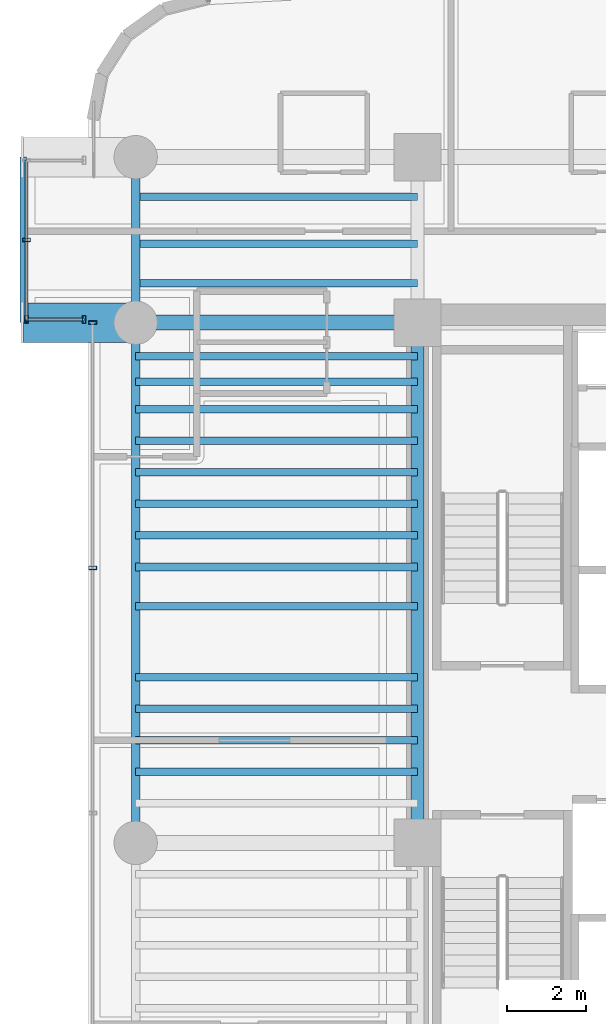
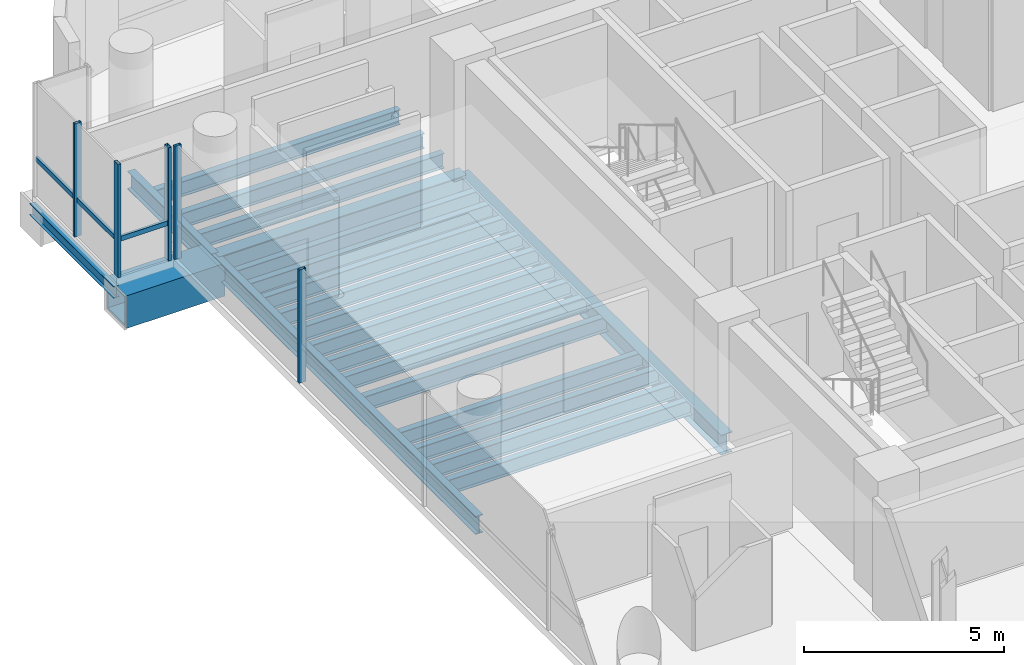
# One storey, part 9 of 33: 22 beams, 7 members, 3 elements without a shape of their own.
"""IFC4 building model written with IfcOpenShell, lengths in metres."""

from ifc_helpers import new_model, si_unit, direction, frame, origin, origin_2d, place, context, subcontext, project, spatial, hollow_rectangle, i_section, extrude, source, transform, mapped, material, material_profile, profile_set, type_object, element, aggregate, save


model = new_model("IFC4")

# Units and contexts
model_context = context("Model", 3, precision=1e-05, world=origin(), true_north=direction((0.0, 1.0)))
body_context = subcontext(model_context, "Body", "Model", "MODEL_VIEW")
ifc_project = project(units=[si_unit("LENGTHUNIT", "METRE"), si_unit("AREAUNIT", "SQUARE_METRE"), si_unit("VOLUMEUNIT", "CUBIC_METRE"), si_unit("PLANEANGLEUNIT", "RADIAN"), si_unit("MASSUNIT", "GRAM", prefix="KILO")], contexts=[model_context])

# Site, building, storey
site_placement = place(None, origin())
site = spatial("IfcSite", under=ifc_project, at=site_placement, CompositionType="ELEMENT")
building_placement = place(site_placement, origin())
building = spatial("IfcBuilding", under=site, at=building_placement, Name="Valdorenza Pilgrim Sanctuary Tower", CompositionType="ELEMENT")
storey_placement = place(building_placement, frame((0.0, 0.0, 157.5)))
storey = spatial("IfcBuildingStorey", under=building, at=storey_placement, Name="L40", CompositionType="ELEMENT", Elevation=157.5)

# Beams
ifc_material_1 = material(Name="Steel ASTM A992 Grade 50", Category="steel")
ifc_material_profile_1 = material_profile(ifc_material_1, i_section(OverallWidth=0.214111328125, OverallDepth=0.549072265625, WebThickness=0.0146484375, FlangeThickness=0.023681640625, at=origin_2d()), Name="W21X93")
ifc_profile_set_1 = profile_set([ifc_material_profile_1], Name="Steel ASTM A992 Grade 50")
beam_type_1 = type_object("IfcBeamType", Name="STR-BM-SPN-W21A", PredefinedType="SPANDREL", material=ifc_profile_set_1)
shared_shape_1 = source(origin(), body_context, "Body", "SweptSolid", [
    extrude(i_section(OverallWidth=0.214111328125, OverallDepth=0.549072265625, WebThickness=0.0146484375, FlangeThickness=0.023681640625, at=origin_2d()), origin(), (0.0, 0.0, 1.0), 13.2001953125),
])
beam_1_placement = place(storey_placement, frame((-29.800048828125, -2.60009765625, -0.514404296875), z_axis=(0.0, 1.0, 0.0), x_axis=(-1.0, 0.0, 0.0)))
element("IfcBeam", 1, at=beam_1_placement, inside=storey, type_object=beam_type_1, Name="L40 Spandrel Beam WA-W-M0N1", PredefinedType="SPANDREL", context=body_context, shape_type="MappedRepresentation", body=[
    mapped(shared_shape_1, transform((0.0, 0.0, 0.0), x_axis=(1.0, 0.0, 0.0), y_axis=(0.0, 1.0, 0.0), z_axis=(0.0, 0.0, 1.0), scale=1.0)),
])
ifc_material_profile_2 = material_profile(ifc_material_1, i_section(OverallWidth=0.323974609375, OverallDepth=0.611083984375, WebThickness=0.0126953125, FlangeThickness=0.01904296875, at=origin_2d()), Name="W24X104")
ifc_profile_set_2 = profile_set([ifc_material_profile_2], Name="Steel ASTM A992 Grade 50")
beam_type_2 = type_object("IfcBeamType", Name="STR-BM-GRD-W24B", PredefinedType="BEAM", material=ifc_profile_set_2)
shared_shape_2 = source(origin(), body_context, "Body", "SweptSolid", [
    extrude(i_section(OverallWidth=0.323974609375, OverallDepth=0.611083984375, WebThickness=0.0126953125, FlangeThickness=0.01904296875, at=origin_2d()), origin(), (0.0, 0.0, 1.0), 13.2001953125),
])
beam_2_placement = place(storey_placement, frame((-22.64990234375, -2.60009765625, -0.54541015625), z_axis=(0.0, 1.0, 0.0), x_axis=(-1.0, 0.0, 0.0)))
element("IfcBeam", 2, at=beam_2_placement, inside=storey, type_object=beam_type_2, Name="L40 Core Tie Girder CA-W-M0N1", PredefinedType="BEAM", context=body_context, shape_type="MappedRepresentation", body=[
    mapped(shared_shape_2, transform((0.0, 0.0, 0.0), x_axis=(1.0, 0.0, 0.0), y_axis=(0.0, 1.0, 0.0), z_axis=(0.0, 0.0, 1.0), scale=1.0)),
])
shared_shape_3 = source(origin(), body_context, "Body", "SweptSolid", [
    extrude(i_section(OverallWidth=0.214111328125, OverallDepth=0.549072265625, WebThickness=0.0146484375, FlangeThickness=0.023681640625, at=origin_2d()), origin(), (0.0, 0.0, 1.0), 4.199951171875),
])
beam_3_placement = place(storey_placement, frame((-29.800048828125, 10.60009765625, -0.514404296875), z_axis=(0.0, 1.0, 0.0), x_axis=(-1.0, 0.0, 0.0)))
element("IfcBeam", 3, at=beam_3_placement, inside=storey, type_object=beam_type_1, Name="L40 Spandrel Beam WA-W-N1N2", PredefinedType="SPANDREL", context=body_context, shape_type="MappedRepresentation", body=[
    mapped(shared_shape_3, transform((0.0, 0.0, 0.0), x_axis=(1.0, 0.0, 0.0), y_axis=(0.0, 1.0, 0.0), z_axis=(0.0, 0.0, 1.0), scale=1.0)),
])
ifc_material_profile_3 = material_profile(ifc_material_1, i_section(OverallWidth=0.1708984375, OverallDepth=0.35107421875, WebThickness=0.0068359375, FlangeThickness=0.009765625, at=origin_2d()), Name="W14X30")
ifc_profile_set_3 = profile_set([ifc_material_profile_3], Name="Steel ASTM A992 Grade 50")
beam_type_3 = type_object("IfcBeamType", Name="STR-BM-BOX-W14", PredefinedType="BEAM", material=ifc_profile_set_3)
shared_shape_4 = source(origin(), body_context, "Body", "SweptSolid", [
    extrude(i_section(OverallWidth=0.1708984375, OverallDepth=0.35107421875, WebThickness=0.0068359375, FlangeThickness=0.009765625, at=origin_2d()), origin(), (0.0, 0.0, 1.0), 4.199951171875),
])
beam_4_placement = place(storey_placement, frame((-32.64990234375, 10.60009765625, -0.41552734375), z_axis=(0.0, 1.0, 0.0), x_axis=(-1.0, 0.0, 0.0)))
element("IfcBeam", 4, at=beam_4_placement, inside=storey, type_object=beam_type_3, Name="L40 Glass Box Edge Beam BOX-WA-L40-F", PredefinedType="BEAM", context=body_context, shape_type="MappedRepresentation", body=[
    mapped(shared_shape_4, transform((0.0, 0.0, 0.0), x_axis=(1.0, 0.0, 0.0), y_axis=(0.0, 1.0, 0.0), z_axis=(0.0, 0.0, 1.0), scale=1.0)),
])
ifc_material_profile_4 = material_profile(ifc_material_1, i_section(OverallWidth=0.382080078125, OverallDepth=0.779052734375, WebThickness=0.01806640625, FlangeThickness=0.030029296875, at=origin_2d()), Name="W30X191")
ifc_profile_set_4 = profile_set([ifc_material_profile_4], Name="Steel ASTM A992 Grade 50")
beam_type_4 = type_object("IfcBeamType", Name="STR-BM-GRD-W30", PredefinedType="BEAM", material=ifc_profile_set_4)
shared_shape_5 = source(origin(), body_context, "Body", "SweptSolid", [
    extrude(i_section(OverallWidth=0.382080078125, OverallDepth=0.779052734375, WebThickness=0.01806640625, FlangeThickness=0.030029296875, at=origin_2d()), origin(), (0.0, 0.0, 1.0), 7.150146484375),
])
beam_5_placement = place(storey_placement, frame((-29.800048828125, 10.60009765625, -0.62939453125), z_axis=(1.0, 0.0, 0.0), x_axis=(0.0, 1.0, 0.0)))
element("IfcBeam", 5, at=beam_5_placement, inside=storey, type_object=beam_type_4, Name="L40 Floor Girder WA-XW-N1", PredefinedType="BEAM", context=body_context, shape_type="MappedRepresentation", body=[
    mapped(shared_shape_5, transform((0.0, 0.0, 0.0), x_axis=(1.0, 0.0, 0.0), y_axis=(0.0, 1.0, 0.0), z_axis=(0.0, 0.0, 1.0), scale=1.0)),
])
ifc_material_profile_5 = material_profile(ifc_material_1, i_section(OverallWidth=0.19091796875, OverallDepth=0.45703125, WebThickness=0.009033203125, FlangeThickness=0.014404296875, at=origin_2d()), Name="W18X50")
ifc_profile_set_5 = profile_set([ifc_material_profile_5], Name="Steel ASTM A992 Grade 50")
beam_type_5 = type_object("IfcBeamType", Name="STR-BM-JST-W18B", PredefinedType="JOIST", material=ifc_profile_set_5)
shared_shape_6 = source(origin(), body_context, "Body", "SweptSolid", [
    extrude(i_section(OverallWidth=0.19091796875, OverallDepth=0.45703125, WebThickness=0.009033203125, FlangeThickness=0.014404296875, at=origin_2d()), origin(), (0.0, 0.0, 1.0), 7.150146484375),
])
for number, where, z_axis, x_axis, name in (
    (6, (-29.800048828125, -0.800048828125, -0.468505859375), (1.0, 0.0, 0.0), (0.0, 1.0, 0.0), "L40 Composite Floor Joist JST-WA-11"),
    (7, (-29.800048828125, 0.0, -0.468505859375), (1.0, 0.0, 0.0), (0.0, 1.0, 0.0), "L40 Composite Floor Joist JST-WA-12"),
    (8, (-29.800048828125, 0.800048828125, -0.468505859375), (1.0, 0.0, 0.0), (0.0, 1.0, 0.0), "L40 Composite Floor Joist JST-WA-13"),
    (9, (-29.800048828125, 1.60009765625, -0.468505859375), (1.0, 0.0, 0.0), (0.0, 1.0, 0.0), "L40 Composite Floor Joist JST-WA-14"),
    (10, (-29.800048828125, 3.39990234375, -0.468505859375), (1.0, 0.0, 0.0), (0.0, 1.0, 0.0), "L40 Composite Floor Joist JST-WA-15"),
    (11, (-29.800048828125, 4.39990234375, -0.468505859375), (1.0, 0.0, 0.0), (0.0, 1.0, 0.0), "L40 Composite Floor Joist JST-WA-16"),
    (12, (-29.800048828125, 5.199951171875, -0.468505859375), (1.0, 0.0, 0.0), (0.0, 1.0, 0.0), "L40 Composite Floor Joist JST-WA-17"),
    (13, (-29.800048828125, 6.0, -0.468505859375), (1.0, 0.0, 0.0), (0.0, 1.0, 0.0), "L40 Composite Floor Joist JST-WA-18"),
    (14, (-29.800048828125, 6.800048828125, -0.468505859375), (1.0, 0.0, 0.0), (0.0, 1.0, 0.0), "L40 Composite Floor Joist JST-WA-19"),
    (15, (-29.800048828125, 7.60009765625, -0.468505859375), (1.0, 0.0, 0.0), (0.0, 1.0, 0.0), "L40 Composite Floor Joist JST-WA-20"),
    (16, (-29.800048828125, 8.39990234375, -0.468505859375), (1.0, 0.0, 0.0), (0.0, 1.0, 0.0), "L40 Composite Floor Joist JST-WA-21"),
    (17, (-29.800048828125, 9.10009765625, -0.468505859375), (1.0, 0.0, 0.0), (0.0, 1.0, 0.0), "L40 Composite Floor Joist JST-WA-22"),
    (18, (-29.800048828125, 9.75, -0.468505859375), (1.0, 0.0, 0.0), (0.0, 1.0, 0.0), "L40 Composite Floor Joist JST-WA-23"),
    (19, (-29.800048828125, 11.60009765625, -0.468505859375), (1.0, 0.0, 0.0), (0.0, 1.0, 0.0), "L40 Composite Floor Joist JST-WA-24"),
    (20, (-29.800048828125, 12.60009765625, -0.468505859375), (1.0, 0.0, 0.0), (0.0, 1.0, 0.0), "L40 Composite Floor Joist JST-WA-25"),
    (21, (-29.800048828125, 13.800048828125, -0.468505859375), (1.0, 0.0, 0.0), (0.0, 1.0, 0.0), "L40 Composite Floor Joist JST-WA-26"),
):
    element("IfcBeam", number, at=place(storey_placement, frame(where, z_axis=z_axis, x_axis=x_axis)), inside=storey, type_object=beam_type_5, Name=name, PredefinedType="JOIST", context=body_context, shape_type="MappedRepresentation", body=[
        mapped(shared_shape_6, transform((0.0, 0.0, 0.0), x_axis=(1.0, 0.0, 0.0), y_axis=(0.0, 1.0, 0.0), z_axis=(0.0, 0.0, 1.0), scale=1.0)),
    ])
ifc_material_2 = material(Name="Steel ASTM A572 Grade 42", Category="steel")
ifc_material_profile_6 = material_profile(ifc_material_2, hollow_rectangle(XDim=1.0, YDim=1.0, WallThickness=0.080078125, at=origin_2d()), Name="BOX 1000x1000x80")
ifc_profile_set_6 = profile_set([ifc_material_profile_6], Name="Steel ASTM A572 Grade 42")
beam_type_6 = type_object("IfcBeamType", Name="STR-BM-PROW-CANT", PredefinedType="BEAM", material=ifc_profile_set_6)
shared_shape_7 = source(origin(), body_context, "Body", "SweptSolid", [
    extrude(hollow_rectangle(XDim=1.0, YDim=1.0, WallThickness=0.080078125, at=origin_2d()), origin(), (0.0, 0.0, 1.0), 2.849853515625),
])
beam_6_placement = place(storey_placement, frame((-29.800048828125, 10.60009765625, -0.739990234375), z_axis=(-1.0, 0.0, 0.0), x_axis=(0.0, -1.0, 0.0)))
element("IfcBeam", 22, at=beam_6_placement, inside=storey, type_object=beam_type_6, Name="L40 Glass Box Cantilever Beam BOX-WA-L40-CT-S", PredefinedType="BEAM", context=body_context, shape_type="MappedRepresentation", body=[
    mapped(shared_shape_7, transform((0.0, 0.0, 0.0), x_axis=(1.0, 0.0, 0.0), y_axis=(0.0, 1.0, 0.0), z_axis=(0.0, 0.0, 1.0), scale=1.0)),
])

# Curtain wall, members
ifc_material_3 = material(Name="Curtain-wall IGU glazing", Category="glass")
curtain_wall_type = type_object("IfcCurtainWallType", Name="CW-SYS-02", PredefinedType="NOTDEFINED", material=ifc_material_3)
curtain_wall_1_placement = place(storey_placement, origin())
curtain_wall_1 = element("IfcCurtainWall", 23, at=curtain_wall_1_placement, inside=storey, type_object=curtain_wall_type, Name="L40 Curtain Wall CW-L40-1-1S1", PredefinedType="NOTDEFINED")
ifc_material_4 = material(Name="Anodised aluminium AW-6060", Category="aluminium")
ifc_material_profile_7 = material_profile(ifc_material_4, hollow_rectangle(XDim=0.0849609375, YDim=0.199951171875, WallThickness=0.0048828125, at=origin_2d()), Name="ALU-M 200x85x5")
ifc_profile_set_7 = profile_set([ifc_material_profile_7], Name="Anodised aluminium AW-6060")
member_type_1 = type_object("IfcMemberType", Name="CW-MUL-02", PredefinedType="MULLION", material=ifc_profile_set_7)
shared_shape_8 = source(origin(), body_context, "Body", "SweptSolid", [
    extrude(hollow_rectangle(XDim=0.0849609375, YDim=0.199951171875, WallThickness=0.0048828125, at=origin_2d()), origin(), (0.0, 0.0, 1.0), 3.4599609375),
])
member_1_placement = place(storey_placement, frame((-30.889892578125, 4.377685546875, 0.0), z_axis=(0.0, 0.0, 1.0), x_axis=(0.0, 1.0, 0.0)))
member_1 = element("IfcMember", 24, at=member_1_placement, type_object=member_type_1, Name="CW-L40-1-1S1 Mullion 4", PredefinedType="MULLION", context=body_context, shape_type="MappedRepresentation", body=[
    mapped(shared_shape_8, transform((0.0, 0.0, 0.0), x_axis=(1.0, 0.0, 0.0), y_axis=(0.0, 1.0, 0.0), z_axis=(0.0, 0.0, 1.0), scale=1.0)),
])
member_2_placement = place(storey_placement, frame((-30.889892578125, 10.60009765625, 0.0), z_axis=(0.0, 0.0, 1.0), x_axis=(0.0, 1.0, 0.0)))
member_2 = element("IfcMember", 25, at=member_2_placement, type_object=member_type_1, Name="CW-L40-1-1S1 Mullion 5", PredefinedType="MULLION", context=body_context, shape_type="MappedRepresentation", body=[
    mapped(shared_shape_8, transform((0.0, 0.0, 0.0), x_axis=(1.0, 0.0, 0.0), y_axis=(0.0, 1.0, 0.0), z_axis=(0.0, 0.0, 1.0), scale=1.0)),
])
aggregate(curtain_wall_1, [member_1, member_2])

curtain_wall_2_placement = place(storey_placement, origin())
curtain_wall_2 = element("IfcCurtainWall", 26, at=curtain_wall_2_placement, inside=storey, type_object=curtain_wall_type, Name="L40 Curtain Wall CW-L40-BOX-WA-L40-S", PredefinedType="NOTDEFINED")
member_3_placement = place(storey_placement, frame((-31.110107421875, 10.679931640625, 0.0), z_axis=(0.0, 0.0, 1.0), x_axis=(-1.0, 0.0, 0.0)))
member_3 = element("IfcMember", 27, at=member_3_placement, type_object=member_type_1, Name="CW-L40-BOX-WA-L40-S Mullion 1", PredefinedType="MULLION", context=body_context, shape_type="MappedRepresentation", body=[
    mapped(shared_shape_8, transform((0.0, 0.0, 0.0), x_axis=(1.0, 0.0, 0.0), y_axis=(0.0, 1.0, 0.0), z_axis=(0.0, 0.0, 1.0), scale=1.0)),
])
member_4_placement = place(storey_placement, frame((-32.570068359375, 10.679931640625, 0.0), z_axis=(0.0, 0.0, 1.0), x_axis=(-1.0, 0.0, 0.0)))
member_4 = element("IfcMember", 28, at=member_4_placement, type_object=member_type_1, Name="CW-L40-BOX-WA-L40-S Mullion 2", PredefinedType="MULLION", context=body_context, shape_type="MappedRepresentation", body=[
    mapped(shared_shape_8, transform((0.0, 0.0, 0.0), x_axis=(1.0, 0.0, 0.0), y_axis=(0.0, 1.0, 0.0), z_axis=(0.0, 0.0, 1.0), scale=1.0)),
])

# Curtain wall, member
curtain_wall_3_placement = place(storey_placement, origin())
curtain_wall_3 = element("IfcCurtainWall", 29, at=curtain_wall_3_placement, inside=storey, type_object=curtain_wall_type, Name="L40 Curtain Wall CW-L40-BOX-WA-L40-F", PredefinedType="NOTDEFINED")
member_5_placement = place(storey_placement, frame((-32.570068359375, 12.699951171875, 0.0), z_axis=(0.0, 0.0, 1.0), x_axis=(0.0, 1.0, 0.0)))
member_5 = element("IfcMember", 30, at=member_5_placement, type_object=member_type_1, Name="CW-L40-BOX-WA-L40-F Mullion 2", PredefinedType="MULLION", context=body_context, shape_type="MappedRepresentation", body=[
    mapped(shared_shape_8, transform((0.0, 0.0, 0.0), x_axis=(1.0, 0.0, 0.0), y_axis=(0.0, 1.0, 0.0), z_axis=(0.0, 0.0, 1.0), scale=1.0)),
])

# Member
ifc_material_profile_8 = material_profile(ifc_material_4, hollow_rectangle(XDim=0.074951171875, YDim=0.14990234375, WallThickness=0.00390625, at=origin_2d()), Name="ALU-T 150x75x4")
ifc_profile_set_8 = profile_set([ifc_material_profile_8], Name="Anodised aluminium AW-6060")
member_type_2 = type_object("IfcMemberType", Name="CW-TRN-02", PredefinedType="USERDEFINED", material=ifc_profile_set_8)
shared_shape_9 = source(origin(), body_context, "Body", "SweptSolid", [
    extrude(hollow_rectangle(XDim=0.074951171875, YDim=0.14990234375, WallThickness=0.00390625, at=origin_2d()), origin(), (0.0, 0.0, 1.0), 1.4599609375),
])
member_6_placement = place(storey_placement, frame((-31.110107421875, 10.679931640625, 1.1201171875), z_axis=(-1.0, 0.0, 0.0), x_axis=(0.0, -1.0, 0.0)))
member_6 = element("IfcMember", 31, at=member_6_placement, type_object=member_type_2, Name="CW-L40-BOX-WA-L40-S Transom 1", ObjectType="TRANSOM", PredefinedType="USERDEFINED", context=body_context, shape_type="MappedRepresentation", body=[
    mapped(shared_shape_9, transform((0.0, 0.0, 0.0), x_axis=(1.0, 0.0, 0.0), y_axis=(0.0, 1.0, 0.0), z_axis=(0.0, 0.0, 1.0), scale=1.0)),
])

aggregate(curtain_wall_2, [member_3, member_4, member_6])

shared_shape_10 = source(origin(), body_context, "Body", "SweptSolid", [
    extrude(hollow_rectangle(XDim=0.074951171875, YDim=0.14990234375, WallThickness=0.00390625, at=origin_2d()), origin(), (0.0, 0.0, 1.0), 4.0400390625),
])
member_7_placement = place(storey_placement, frame((-32.570068359375, 10.679931640625, 1.1201171875), z_axis=(0.0, 1.0, 0.0), x_axis=(-1.0, 0.0, 0.0)))
member_7 = element("IfcMember", 32, at=member_7_placement, type_object=member_type_2, Name="CW-L40-BOX-WA-L40-F Transom 1", ObjectType="TRANSOM", PredefinedType="USERDEFINED", context=body_context, shape_type="MappedRepresentation", body=[
    mapped(shared_shape_10, transform((0.0, 0.0, 0.0), x_axis=(1.0, 0.0, 0.0), y_axis=(0.0, 1.0, 0.0), z_axis=(0.0, 0.0, 1.0), scale=1.0)),
])

aggregate(curtain_wall_3, [member_5, member_7])

save(model, "model.ifc")
